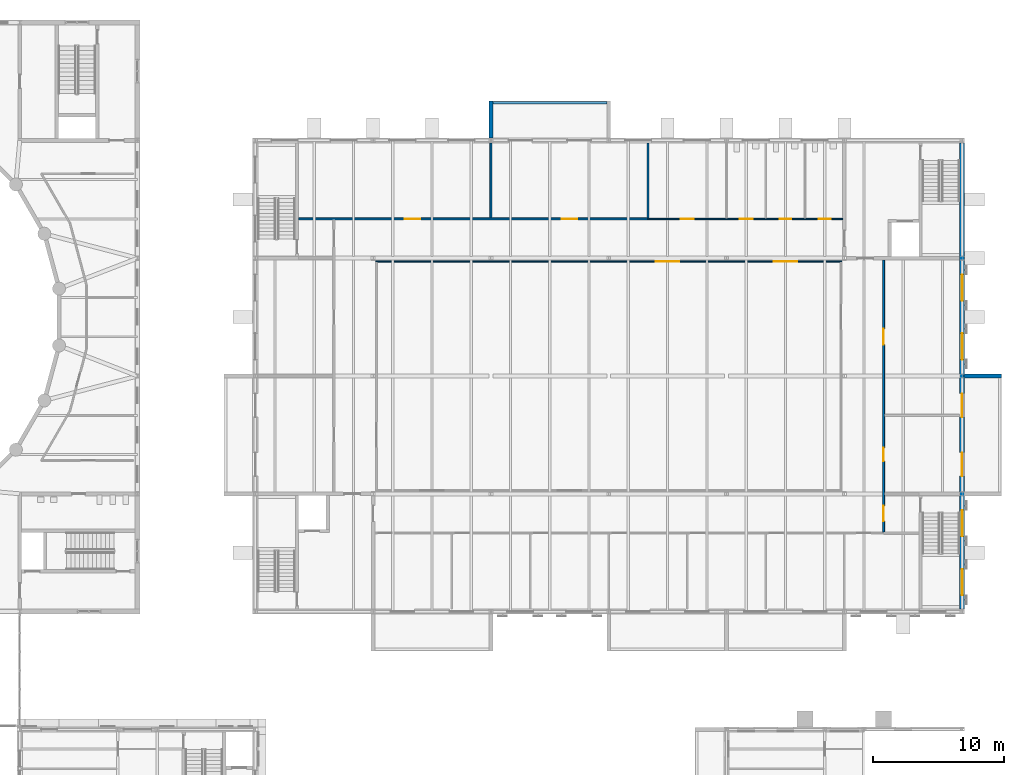
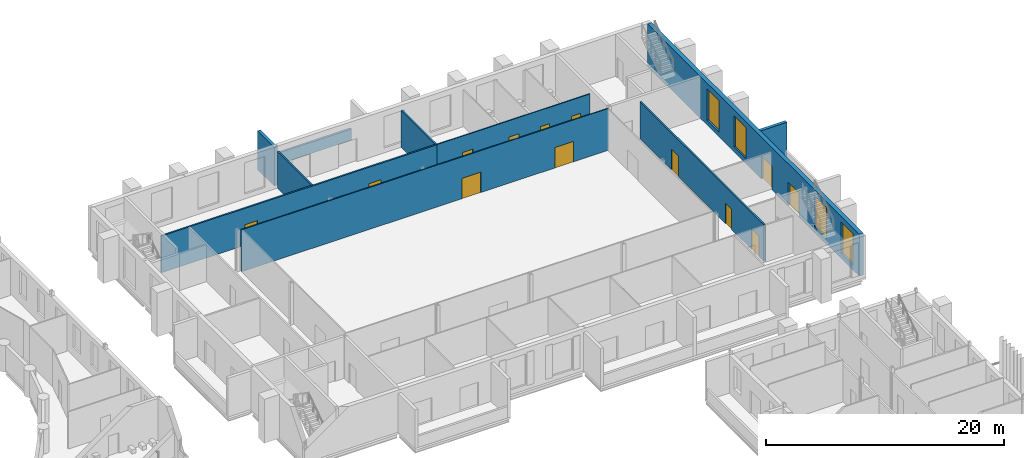
# One storey, part 92 of 134: 13 doors, 10 walls, 4 windows, 17 openings.
"""IFC4 building model written with IfcOpenShell, lengths in metres."""

import ifcopenshell
import ifcopenshell.guid

model = None  # the IFC model being written
_history = None  # IfcOwnerHistory: only IFC2X3 demands one
_inside = {}  # id of a spatial element -> (the spatial element, [elements in it])
_under = {}  # id of a project, library or spatial element -> (it, [spatial elements below it])
_declared = {}  # id of a project -> (the project, [libraries it declares])
_typed = {}  # id of a type object -> (the type object, [elements of that type])
_made_of = {}  # id of a material, layer set ... -> (it, [elements and type objects made of it])


def new_model(schema):
    """Start an empty IFC model of exactly this schema.

    Asked for "IFC4X3", IfcOpenShell would pick the latest addendum, in which some entities
    have other attributes; the version numbers below select the first issue.
    IFC2X3 requires an IfcOwnerHistory on every rooted entity: one is made here for all.
    """
    global model, _history
    if schema == "IFC4X3":
        model = ifcopenshell.file(schema_version=(4, 3, 0, 0))
    else:
        model = ifcopenshell.file(schema=schema)
    _inside.clear()
    _under.clear()
    _declared.clear()
    _typed.clear()
    _made_of.clear()
    _history = None
    if model.schema == "IFC2X3":
        org = make("IfcOrganization", Name="unknown")
        user = make(
            "IfcPersonAndOrganization",
            ThePerson=make("IfcPerson", FamilyName="unknown"),
            TheOrganization=org,
        )
        app = make(
            "IfcApplication",
            ApplicationDeveloper=org,
            Version="unknown",
            ApplicationFullName="unknown",
            ApplicationIdentifier="unknown",
        )
        _history = make(
            "IfcOwnerHistory",
            OwningUser=user,
            OwningApplication=app,
            ChangeAction="ADDED",
            CreationDate=0,
        )
    return model


def make(cls, **values):
    """One entity of the class cls with the attributes given. An attribute that is None is left unset."""
    return model.create_entity(
        cls, **{name: value for name, value in values.items() if value is not None}
    )


def rooted(cls, **values):
    """An entity with a GlobalId (a new one), such as an element, a storey or a relation."""
    return make(cls, GlobalId=ifcopenshell.guid.new(), OwnerHistory=_history, **values)


def si_unit(unit_type, name, prefix=None):
    """IfcSIUnit, for example si_unit("LENGTHUNIT", "METRE", prefix="MILLI")."""
    return make("IfcSIUnit", UnitType=unit_type, Prefix=prefix, Name=name)


def assignment(units):
    """IfcUnitAssignment: the units of a project."""
    return None if units is None else make("IfcUnitAssignment", Units=units)


def point(xyz):
    """IfcCartesianPoint."""
    return None if xyz is None else make("IfcCartesianPoint", Coordinates=xyz)


def direction(xyz):
    """IfcDirection."""
    return None if xyz is None else make("IfcDirection", DirectionRatios=xyz)


def frame(location, z_axis=None, x_axis=None):
    """IfcAxis2Placement3D, a coordinate frame: its origin and axes. An axis left out is left unset."""
    return make(
        "IfcAxis2Placement3D",
        Location=point(location),
        Axis=direction(z_axis),
        RefDirection=direction(x_axis),
    )


def frame_2d(location, x_axis=None):
    """IfcAxis2Placement2D, a coordinate frame in the plane: its origin and x axis."""
    return make(
        "IfcAxis2Placement2D", Location=point(location), RefDirection=direction(x_axis)
    )


def origin():
    """The frame at (0, 0, 0) with its axes left unset."""
    return frame((0.0, 0.0, 0.0))


def place(relative_to, where):
    """IfcLocalPlacement: puts the frame where relative to a parent placement (None: the world)."""
    return make(
        "IfcLocalPlacement", PlacementRelTo=relative_to, RelativePlacement=where
    )


def context(
    kind, dimensions, precision=None, world=None, true_north=None, identifier=None
):
    """IfcGeometricRepresentationContext, for example the 3D "Model" context."""
    return make(
        "IfcGeometricRepresentationContext",
        ContextIdentifier=identifier,
        ContextType=kind,
        CoordinateSpaceDimension=dimensions,
        Precision=precision,
        WorldCoordinateSystem=world,
        TrueNorth=true_north,
    )


def subcontext(parent, identifier, kind, view, scale=None):
    """IfcGeometricRepresentationSubContext, for example "Body" below "Model"."""
    return make(
        "IfcGeometricRepresentationSubContext",
        ContextIdentifier=identifier,
        ContextType=kind,
        ParentContext=parent,
        TargetScale=scale,
        TargetView=view,
    )


def project(units=None, contexts=None):
    """IfcProject with its units and contexts."""
    return rooted(
        "IfcProject",
        Name="project",
        RepresentationContexts=contexts,
        UnitsInContext=assignment(units),
    )


def spatial(cls, under=None, at=None, **own):
    """A site, building, storey or space (cls), placed at a placement, below another one or the project."""
    s = rooted(cls, ObjectPlacement=at, **own)
    if under is not None:
        _under.setdefault(under.id(), (under, []))[1].append(s)
    return s


def profile(cls, at=None, kind="AREA", **sizes):
    """A parametric profile (cls). Its sizes go by their IFC names, for example OverallWidth=200.0."""
    return make(cls, ProfileType=kind, Position=at, **sizes)


def rectangle(**sizes):
    """IfcRectangleProfileDef."""
    return profile("IfcRectangleProfileDef", **sizes)


def extrude(swept, where, along, depth):
    """IfcExtrudedAreaSolid: the profile swept, set in the frame where, extruded along a direction by depth."""
    return make(
        "IfcExtrudedAreaSolid",
        SweptArea=swept,
        Position=where,
        ExtrudedDirection=direction(along),
        Depth=depth,
    )


def shape(context_of_items, identifier, shape_type, items):
    """IfcShapeRepresentation: the items that make up one representation, for example the "Body"."""
    return make(
        "IfcShapeRepresentation",
        ContextOfItems=context_of_items,
        RepresentationIdentifier=identifier,
        RepresentationType=shape_type,
        Items=items,
    )


def material(Name=None, Category=None):
    """IfcMaterial."""
    return make("IfcMaterial", Name=Name, Category=Category)


def layer(
    of_material, thickness, ventilated=None, Name=None, Category=None, Priority=None
):
    """IfcMaterialLayer: one layer of a wall or slab, of a material (None: an air gap)."""
    return make(
        "IfcMaterialLayer",
        Material=of_material,
        LayerThickness=thickness,
        IsVentilated=ventilated,
        Name=Name,
        Category=Category,
        Priority=Priority,
    )


def layer_set(layers, Name=None):
    """IfcMaterialLayerSet."""
    return make("IfcMaterialLayerSet", MaterialLayers=layers, LayerSetName=Name)


def made_of(thing, what):
    """Note that an element or type object is made of a material, layer set ...; save() writes the relation."""
    if what is not None:
        _made_of.setdefault(what.id(), (what, []))[1].append(thing)
    return thing


def type_object(cls, material=None, **own):
    """A type object (cls), such as IfcWallType, which elements share."""
    return made_of(rooted(cls, **own), material)


def element(
    cls,
    number,
    at=None,
    inside=None,
    cuts=None,
    type_object=None,
    material=None,
    context=None,
    identifier="Body",
    shape_type=None,
    held_by="IfcProductDefinitionShape",
    body=None,
    shapes=None,
    **own,
):
    """One element of the class cls, such as IfcWall. Its Tag is "e" and its number.

    at: its placement. inside: the storey or other place that contains it. cuts: it is an
    opening in that element (IfcRelVoidsElement). A single representation is given by context,
    identifier, shape_type and body (its items); several are given by shapes. held_by: the class
    of the entity that holds the representations. save() writes the other relations.
    """
    e = rooted(cls, Tag="e%d" % number, ObjectPlacement=at, **own)
    if body is not None:
        shapes = [shape(context, identifier, shape_type, body)]
    if shapes is not None:
        e.Representation = make(held_by, Representations=shapes)
    if inside is not None:
        _inside.setdefault(inside.id(), (inside, []))[1].append(e)
    if cuts is not None:
        rooted(
            "IfcRelVoidsElement", RelatingBuildingElement=cuts, RelatedOpeningElement=e
        )
    if type_object is not None:
        _typed.setdefault(type_object.id(), (type_object, []))[1].append(e)
    return made_of(e, material)


def fill(opening, filler):
    """IfcRelFillsElement: the door or window that sits in an opening."""
    return rooted(
        "IfcRelFillsElement",
        RelatingOpeningElement=opening,
        RelatedBuildingElement=filler,
    )


def aggregate(whole, parts):
    """IfcRelAggregates: a whole, such as a stair, and the parts it consists of."""
    return rooted("IfcRelAggregates", RelatingObject=whole, RelatedObjects=parts)


def save(model, path):
    """Write the relations noted so far, then the file.

    IfcRelAggregates (storeys below a building ...), IfcRelContainedInSpatialStructure (elements
    in a storey), IfcRelDefinesByType, IfcRelAssociatesMaterial and IfcRelDeclares: one each for
    every whole, place, type object, material and project.
    """
    for whole, parts in _under.values():
        aggregate(whole, parts)
    for where, things in _inside.values():
        rooted(
            "IfcRelContainedInSpatialStructure",
            RelatedElements=things,
            RelatingStructure=where,
        )
    for kind, things in _typed.values():
        rooted("IfcRelDefinesByType", RelatedObjects=things, RelatingType=kind)
    for what, things in _made_of.values():
        rooted("IfcRelAssociatesMaterial", RelatedObjects=things, RelatingMaterial=what)
    for by, libraries in _declared.values():
        rooted("IfcRelDeclares", RelatingContext=by, RelatedDefinitions=libraries)
    model.write(path)


model = new_model("IFC4")

# Units and contexts
model_context = context("Model", 3, precision=1e-05, world=origin(), true_north=direction((0.0, 1.0)))
body_context = subcontext(model_context, "Body", "Model", "MODEL_VIEW")
ifc_project = project(units=[si_unit("LENGTHUNIT", "METRE"), si_unit("AREAUNIT", "SQUARE_METRE"), si_unit("VOLUMEUNIT", "CUBIC_METRE"), si_unit("PLANEANGLEUNIT", "RADIAN"), si_unit("MASSUNIT", "GRAM", prefix="KILO")], contexts=[model_context])

# Site, building, storey
site_placement = place(None, origin())
site = spatial("IfcSite", under=ifc_project, at=site_placement, CompositionType="ELEMENT")
building_placement = place(site_placement, origin())
building = spatial("IfcBuilding", under=site, at=building_placement, Name="Golden Quay Civic Hall", CompositionType="ELEMENT")
storey_placement = place(building_placement, frame((0.0, 0.0, 5.39990234375)))
storey = spatial("IfcBuildingStorey", under=building, at=storey_placement, Name="L01", CompositionType="ELEMENT", Elevation=5.39990234375)

# Wall
ifc_material_1 = material(Name="Brick, dark clay facing", Category="masonry")
ifc_layer_1 = layer(ifc_material_1, 0.199951171875)
ifc_layer_set_1 = layer_set([ifc_layer_1], Name="Brick balustrade wall 200")
wall_type_1 = type_object("IfcWallType", Name="Brick balustrade wall 200", PredefinedType="STANDARD", material=ifc_layer_set_1)
wall_1_placement = place(storey_placement, frame((135.14990234375, 101.8798828125, 0.0), z_axis=(0.0, 0.0, 1.0), x_axis=(1.0, 0.0, 0.0)))
element("IfcWall", 1, at=wall_1_placement, inside=storey, type_object=wall_type_1, Name="Brick balustrade wall 200 L01 11", PredefinedType="STANDARD", context=body_context, shape_type="SweptSolid", body=[
    extrude(rectangle(XDim=8.7001953125, YDim=0.199951171875, at=frame_2d((4.35009765625, 0.0))), origin(), (0.0, 0.0, 1.0), 1.150146484375),
])

# Wall, openings, doors, windows
ifc_material_2 = material(Name="Brick, dark clay facing", Category="masonry")
ifc_layer_2 = layer(ifc_material_2, 0.39990234375)
ifc_layer_set_2 = layer_set([ifc_layer_2], Name="Brick external wall 400 fire EI 120")
wall_type_2 = type_object("IfcWallType", Name="Brick external wall 400 fire EI 120", PredefinedType="STANDARD", material=ifc_layer_set_2)
wall_2_placement = place(storey_placement, frame((171.0, 63.199951171875, 0.0), z_axis=(0.0, 0.0, 1.0), x_axis=(0.0, 1.0, 0.0)))
wall_2 = element("IfcWall", 2, at=wall_2_placement, inside=storey, type_object=wall_type_2, Name="L01 external wall E", PredefinedType="STANDARD", context=body_context, shape_type="SweptSolid", body=[
    extrude(rectangle(XDim=35.60009765625, YDim=0.39990234375, at=frame_2d((17.800048828125, 0.0))), origin(), (0.0, 0.0, 1.0), 4.300048828125),
])
opening_1_placement = place(wall_2_placement, frame((1.050048828125, 0.0, 0.5)))
opening_1 = element("IfcOpeningElement", 3, at=opening_1_placement, cuts=wall_2, Name="Opening WN19", PredefinedType="OPENING", context=body_context, shape_type="SweptSolid", body=[
    extrude(rectangle(XDim=2.0, YDim=3.199951171875, at=frame_2d((1.0, 1.60009765625))), frame((0.0, 0.2099609375, 0.0), z_axis=(0.0, -1.0, 0.0), x_axis=(1.0, 0.0, 0.0)), (0.0, 0.0, 1.0), 0.419921875),
])
opening_2_placement = place(wall_2_placement, frame((5.550048828125, 0.0, 0.5)))
opening_2 = element("IfcOpeningElement", 4, at=opening_2_placement, cuts=wall_2, Name="Opening WN19", PredefinedType="OPENING", context=body_context, shape_type="SweptSolid", body=[
    extrude(rectangle(XDim=2.0, YDim=3.199951171875, at=frame_2d((1.0, 1.60009765625))), frame((0.0, 0.2099609375, 0.0), z_axis=(0.0, -1.0, 0.0), x_axis=(1.0, 0.0, 0.0)), (0.0, 0.0, 1.0), 0.419921875),
])
opening_3_placement = place(wall_2_placement, frame((19.050048828125, 0.0, 0.5)))
opening_3 = element("IfcOpeningElement", 5, at=opening_3_placement, cuts=wall_2, Name="Opening WN19", PredefinedType="OPENING", context=body_context, shape_type="SweptSolid", body=[
    extrude(rectangle(XDim=2.0, YDim=3.199951171875, at=frame_2d((1.0, 1.60009765625))), frame((0.0, 0.2099609375, 0.0), z_axis=(0.0, -1.0, 0.0), x_axis=(1.0, 0.0, 0.0)), (0.0, 0.0, 1.0), 0.419921875),
])
opening_4_placement = place(wall_2_placement, frame((23.550048828125, 0.0, 0.5)))
opening_4 = element("IfcOpeningElement", 6, at=opening_4_placement, cuts=wall_2, Name="Opening WN19", PredefinedType="OPENING", context=body_context, shape_type="SweptSolid", body=[
    extrude(rectangle(XDim=2.0, YDim=3.199951171875, at=frame_2d((1.0, 1.60009765625))), frame((0.0, 0.2099609375, 0.0), z_axis=(0.0, -1.0, 0.0), x_axis=(1.0, 0.0, 0.0)), (0.0, 0.0, 1.0), 0.419921875),
])
opening_5_placement = place(wall_2_placement, frame((10.14990234375, 0.0, 0.0)))
opening_5 = element("IfcOpeningElement", 7, at=opening_5_placement, cuts=wall_2, Name="Opening L01-D022", PredefinedType="OPENING", context=body_context, shape_type="SweptSolid", body=[
    extrude(rectangle(XDim=1.800048828125, YDim=2.39990234375, at=frame_2d((0.89990234375, 1.199951171875))), frame((0.0, 0.2099609375, 0.0), z_axis=(0.0, -1.0, 0.0), x_axis=(1.0, 0.0, 0.0)), (0.0, 0.0, 1.0), 0.419921875),
])
opening_6_placement = place(wall_2_placement, frame((14.64990234375, 0.0, 0.0)))
opening_6 = element("IfcOpeningElement", 8, at=opening_6_placement, cuts=wall_2, Name="Opening L01-D023", PredefinedType="OPENING", context=body_context, shape_type="SweptSolid", body=[
    extrude(rectangle(XDim=1.800048828125, YDim=2.39990234375, at=frame_2d((0.89990234375, 1.199951171875))), frame((0.0, 0.2099609375, 0.0), z_axis=(0.0, -1.0, 0.0), x_axis=(1.0, 0.0, 0.0)), (0.0, 0.0, 1.0), 0.419921875),
])
ifc_material_3 = material(Name="Aluminium frame, glazed", Category="aluminium")
door_type_1 = type_object("IfcDoorType", Name="Glazed double terrace door 1800 x 2400", OperationType="DOUBLE_DOOR_SINGLE_SWING", PredefinedType="DOOR", material=ifc_material_3)
door_1_placement = place(opening_5_placement, frame((1.800048828125, 0.0, 0.0), z_axis=(0.0, 0.0, 1.0), x_axis=(-1.0, 0.0, 0.0)))
door_1 = element("IfcDoor", 9, at=door_1_placement, inside=storey, type_object=door_type_1, Name="Loggia door L01 E112", OperationType="DOUBLE_DOOR_SINGLE_SWING", OverallHeight=2.39990234375, OverallWidth=1.800048828125, PredefinedType="DOOR", context=body_context, shape_type="SweptSolid", body=[
    extrude(rectangle(XDim=1.800048828125, YDim=2.39990234375, at=frame_2d((0.900146484375, 1.199951171875))), frame((0.0, 0.025146484375, 0.0), z_axis=(0.0, -1.0, 0.0), x_axis=(1.0, 0.0, 0.0)), (0.0, 0.0, 1.0), 0.050048828125),
])
fill(opening_5, door_1)
door_2_placement = place(opening_6_placement, frame((1.800048828125, 0.0, 0.0), z_axis=(0.0, 0.0, 1.0), x_axis=(-1.0, 0.0, 0.0)))
door_2 = element("IfcDoor", 10, at=door_2_placement, inside=storey, type_object=door_type_1, Name="Loggia door L01 E157", OperationType="DOUBLE_DOOR_SINGLE_SWING", OverallHeight=2.39990234375, OverallWidth=1.800048828125, PredefinedType="DOOR", context=body_context, shape_type="SweptSolid", body=[
    extrude(rectangle(XDim=1.800048828125, YDim=2.39990234375, at=frame_2d((0.900146484375, 1.199951171875))), frame((0.0, 0.025146484375, 0.0), z_axis=(0.0, -1.0, 0.0), x_axis=(1.0, 0.0, 0.0)), (0.0, 0.0, 1.0), 0.050048828125),
])
fill(opening_6, door_2)
ifc_material_4 = material(Name="Timber", Category="wood")
window_type = type_object("IfcWindowType", Name="Tall timber window 2000 x 3200", PartitioningType="SINGLE_PANEL", PredefinedType="WINDOW", material=ifc_material_4)
window_1_placement = place(opening_1_placement, origin())
window_1 = element("IfcWindow", 11, at=window_1_placement, inside=storey, type_object=window_type, Name="L01 window E22", OverallHeight=3.199951171875, OverallWidth=2.0, PartitioningType="SINGLE_PANEL", PredefinedType="WINDOW", context=body_context, shape_type="SweptSolid", body=[
    extrude(rectangle(XDim=2.0, YDim=3.199951171875, at=frame_2d((1.0, 1.60009765625))), frame((0.0, 0.030029296875, 0.0), z_axis=(0.0, -1.0, 0.0), x_axis=(1.0, 0.0, 0.0)), (0.0, 0.0, 1.0), 0.06005859375),
])
fill(opening_1, window_1)
window_2_placement = place(opening_2_placement, origin())
window_2 = element("IfcWindow", 12, at=window_2_placement, inside=storey, type_object=window_type, Name="L01 window E67", OverallHeight=3.199951171875, OverallWidth=2.0, PartitioningType="SINGLE_PANEL", PredefinedType="WINDOW", context=body_context, shape_type="SweptSolid", body=[
    extrude(rectangle(XDim=2.0, YDim=3.199951171875, at=frame_2d((1.0, 1.60009765625))), frame((0.0, 0.030029296875, 0.0), z_axis=(0.0, -1.0, 0.0), x_axis=(1.0, 0.0, 0.0)), (0.0, 0.0, 1.0), 0.06005859375),
])
fill(opening_2, window_2)
window_3_placement = place(opening_3_placement, origin())
window_3 = element("IfcWindow", 13, at=window_3_placement, inside=storey, type_object=window_type, Name="L01 window E202", OverallHeight=3.199951171875, OverallWidth=2.0, PartitioningType="SINGLE_PANEL", PredefinedType="WINDOW", context=body_context, shape_type="SweptSolid", body=[
    extrude(rectangle(XDim=2.0, YDim=3.199951171875, at=frame_2d((1.0, 1.60009765625))), frame((0.0, 0.030029296875, 0.0), z_axis=(0.0, -1.0, 0.0), x_axis=(1.0, 0.0, 0.0)), (0.0, 0.0, 1.0), 0.06005859375),
])
fill(opening_3, window_3)
window_4_placement = place(opening_4_placement, origin())
window_4 = element("IfcWindow", 14, at=window_4_placement, inside=storey, type_object=window_type, Name="L01 window E247", OverallHeight=3.199951171875, OverallWidth=2.0, PartitioningType="SINGLE_PANEL", PredefinedType="WINDOW", context=body_context, shape_type="SweptSolid", body=[
    extrude(rectangle(XDim=2.0, YDim=3.199951171875, at=frame_2d((1.0, 1.60009765625))), frame((0.0, 0.030029296875, 0.0), z_axis=(0.0, -1.0, 0.0), x_axis=(1.0, 0.0, 0.0)), (0.0, 0.0, 1.0), 0.06005859375),
])
fill(opening_4, window_4)

# Walls
ifc_material_5 = material(Name="Brick, dark clay facing", Category="masonry")
ifc_layer_3 = layer(ifc_material_5, 0.300048828125)
ifc_layer_set_3 = layer_set([ifc_layer_3], Name="Brick loggia wall 300")
wall_type_3 = type_object("IfcWallType", Name="Brick loggia wall 300", PredefinedType="STANDARD", material=ifc_layer_set_3)
wall_3_placement = place(storey_placement, frame((171.14990234375, 81.0, 0.0), z_axis=(0.0, 0.0, 1.0), x_axis=(1.0, 0.0, 0.0)))
element("IfcWall", 15, at=wall_3_placement, inside=storey, type_object=wall_type_3, Name="Brick loggia wall 300 L01 17", PredefinedType="STANDARD", context=body_context, shape_type="SweptSolid", body=[
    extrude(rectangle(XDim=2.85009765625, YDim=0.300048828125, at=frame_2d((1.425048828125, 0.0))), origin(), (0.0, 0.0, 1.0), 3.97021484375),
])
wall_4_placement = place(storey_placement, frame((135.0, 99.179931640625, 0.0), z_axis=(0.0, 0.0, 1.0), x_axis=(0.0, 1.0, 0.0)))
element("IfcWall", 16, at=wall_4_placement, inside=storey, type_object=wall_type_3, Name="Brick loggia wall 300 L01 18", PredefinedType="STANDARD", context=body_context, shape_type="SweptSolid", body=[
    extrude(rectangle(XDim=2.820068359375, YDim=0.300048828125, at=frame_2d((1.41015625, 0.0))), origin(), (0.0, 0.0, 1.0), 3.97021484375),
])

# Wall, openings, doors
ifc_material_6 = material(Name="Plasterboard on steel studs", Category="steel")
ifc_layer_4 = layer(ifc_material_6, 0.10009765625)
ifc_layer_set_4 = layer_set([ifc_layer_4], Name="Partition 100 stud")
wall_type_4 = type_object("IfcWallType", Name="Partition 100 stud", PredefinedType="PARTITIONING", material=ifc_layer_set_4)
wall_5_placement = place(storey_placement, frame((147.0, 93.0, 0.0), z_axis=(0.0, 0.0, 1.0), x_axis=(1.0, 0.0, 0.0)))
wall_5 = element("IfcWall", 17, at=wall_5_placement, inside=storey, type_object=wall_type_4, Name="L01 partition H30-30.00", PredefinedType="PARTITIONING", context=body_context, shape_type="SweptSolid", body=[
    extrude(rectangle(XDim=14.875, YDim=0.10009765625, at=frame_2d((7.4375, 0.0))), origin(), (0.0, 0.0, 1.0), 3.780029296875),
])
opening_7_placement = place(wall_5_placement, frame((2.5, 0.0, 0.0)))
opening_7 = element("IfcOpeningElement", 18, at=opening_7_placement, cuts=wall_5, Name="Opening L01-D204", PredefinedType="OPENING", context=body_context, shape_type="SweptSolid", body=[
    extrude(rectangle(XDim=1.0, YDim=2.10009765625, at=frame_2d((0.5, 1.050048828125))), frame((0.0, 0.06005859375, 0.0), z_axis=(0.0, -1.0, 0.0), x_axis=(1.0, 0.0, 0.0)), (0.0, 0.0, 1.0), 0.1201171875),
])
opening_8_placement = place(wall_5_placement, frame((7.0, 0.0, 0.0)))
opening_8 = element("IfcOpeningElement", 19, at=opening_8_placement, cuts=wall_5, Name="Opening L01-D205", PredefinedType="OPENING", context=body_context, shape_type="SweptSolid", body=[
    extrude(rectangle(XDim=1.0, YDim=2.10009765625, at=frame_2d((0.5, 1.050048828125))), frame((0.0, 0.06005859375, 0.0), z_axis=(0.0, -1.0, 0.0), x_axis=(1.0, 0.0, 0.0)), (0.0, 0.0, 1.0), 0.1201171875),
])
opening_9_placement = place(wall_5_placement, frame((10.050048828125, 0.0, 0.0)))
opening_9 = element("IfcOpeningElement", 20, at=opening_9_placement, cuts=wall_5, Name="Opening L01-D206", PredefinedType="OPENING", context=body_context, shape_type="SweptSolid", body=[
    extrude(rectangle(XDim=0.89990234375, YDim=2.10009765625, at=frame_2d((0.449951171875, 1.050048828125))), frame((0.0, 0.06005859375, 0.0), z_axis=(0.0, -1.0, 0.0), x_axis=(1.0, 0.0, 0.0)), (0.0, 0.0, 1.0), 0.1201171875),
])
opening_10_placement = place(wall_5_placement, frame((13.050048828125, 0.0, 0.0)))
opening_10 = element("IfcOpeningElement", 21, at=opening_10_placement, cuts=wall_5, Name="Opening L01-D207", PredefinedType="OPENING", context=body_context, shape_type="SweptSolid", body=[
    extrude(rectangle(XDim=0.89990234375, YDim=2.10009765625, at=frame_2d((0.449951171875, 1.050048828125))), frame((0.0, 0.06005859375, 0.0), z_axis=(0.0, -1.0, 0.0), x_axis=(1.0, 0.0, 0.0)), (0.0, 0.0, 1.0), 0.1201171875),
])
ifc_material_7 = material(Name="Timber", Category="wood")
door_type_2 = type_object("IfcDoorType", Name="Timber door 1000 x 2100", OperationType="SINGLE_SWING_LEFT", PredefinedType="DOOR", material=ifc_material_7)
door_3_placement = place(opening_7_placement, origin())
door_3 = element("IfcDoor", 22, at=door_3_placement, inside=storey, type_object=door_type_2, Name="Library Office door", OperationType="SINGLE_SWING_LEFT", OverallHeight=2.10009765625, OverallWidth=1.0, PredefinedType="DOOR", context=body_context, shape_type="SweptSolid", body=[
    extrude(rectangle(XDim=1.0, YDim=2.10009765625, at=frame_2d((0.5, 1.050048828125))), frame((0.0, 0.02490234375, 0.0), z_axis=(0.0, -1.0, 0.0), x_axis=(1.0, 0.0, 0.0)), (0.0, 0.0, 1.0), 0.050048828125),
])
fill(opening_7, door_3)
door_4_placement = place(opening_8_placement, origin())
door_4 = element("IfcDoor", 23, at=door_4_placement, inside=storey, type_object=door_type_2, Name="Accessible WC door", OperationType="SINGLE_SWING_LEFT", OverallHeight=2.10009765625, OverallWidth=1.0, PredefinedType="DOOR", context=body_context, shape_type="SweptSolid", body=[
    extrude(rectangle(XDim=1.0, YDim=2.10009765625, at=frame_2d((0.5, 1.050048828125))), frame((0.0, 0.02490234375, 0.0), z_axis=(0.0, -1.0, 0.0), x_axis=(1.0, 0.0, 0.0)), (0.0, 0.0, 1.0), 0.050048828125),
])
fill(opening_8, door_4)
ifc_material_8 = material(Name="Timber", Category="wood")
door_type_3 = type_object("IfcDoorType", Name="Timber door 900 x 2100", OperationType="SINGLE_SWING_LEFT", PredefinedType="DOOR", material=ifc_material_8)
door_5_placement = place(opening_9_placement, origin())
door_5 = element("IfcDoor", 24, at=door_5_placement, inside=storey, type_object=door_type_3, Name="Men's WC door", OperationType="SINGLE_SWING_LEFT", OverallHeight=2.10009765625, OverallWidth=0.89990234375, PredefinedType="DOOR", context=body_context, shape_type="SweptSolid", body=[
    extrude(rectangle(XDim=0.89990234375, YDim=2.10009765625, at=frame_2d((0.449951171875, 1.050048828125))), frame((0.0, 0.02490234375, 0.0), z_axis=(0.0, -1.0, 0.0), x_axis=(1.0, 0.0, 0.0)), (0.0, 0.0, 1.0), 0.050048828125),
])
fill(opening_9, door_5)
door_6_placement = place(opening_10_placement, origin())
door_6 = element("IfcDoor", 25, at=door_6_placement, inside=storey, type_object=door_type_3, Name="Women's WC door", OperationType="SINGLE_SWING_LEFT", OverallHeight=2.10009765625, OverallWidth=0.89990234375, PredefinedType="DOOR", context=body_context, shape_type="SweptSolid", body=[
    extrude(rectangle(XDim=0.89990234375, YDim=2.10009765625, at=frame_2d((0.449951171875, 1.050048828125))), frame((0.0, 0.02490234375, 0.0), z_axis=(0.0, -1.0, 0.0), x_axis=(1.0, 0.0, 0.0)), (0.0, 0.0, 1.0), 0.050048828125),
])
fill(opening_10, door_6)

wall_6_placement = place(storey_placement, frame((126.199951171875, 89.75, 0.0), z_axis=(0.0, 0.0, 1.0), x_axis=(1.0, 0.0, 0.0)))
wall_6 = element("IfcWall", 26, at=wall_6_placement, inside=storey, type_object=wall_type_4, Name="L01 reading room wall N", PredefinedType="PARTITIONING", context=body_context, shape_type="SweptSolid", body=[
    extrude(rectangle(XDim=35.60009765625, YDim=0.10009765625, at=frame_2d((17.800048828125, 0.0))), origin(), (0.0, 0.0, 1.0), 4.300048828125),
])
opening_11_placement = place(wall_6_placement, frame((21.39990234375, 0.0, 0.0)))
opening_11 = element("IfcOpeningElement", 27, at=opening_11_placement, cuts=wall_6, Name="Opening L01-D210", PredefinedType="OPENING", context=body_context, shape_type="SweptSolid", body=[
    extrude(rectangle(XDim=1.800048828125, YDim=2.10009765625, at=frame_2d((0.89990234375, 1.050048828125))), frame((0.0, 0.06005859375, 0.0), z_axis=(0.0, -1.0, 0.0), x_axis=(1.0, 0.0, 0.0)), (0.0, 0.0, 1.0), 0.1201171875),
])
opening_12_placement = place(wall_6_placement, frame((30.39990234375, 0.0, 0.0)))
opening_12 = element("IfcOpeningElement", 28, at=opening_12_placement, cuts=wall_6, Name="Opening L01-D211", PredefinedType="OPENING", context=body_context, shape_type="SweptSolid", body=[
    extrude(rectangle(XDim=1.800048828125, YDim=2.10009765625, at=frame_2d((0.89990234375, 1.050048828125))), frame((0.0, 0.06005859375, 0.0), z_axis=(0.0, -1.0, 0.0), x_axis=(1.0, 0.0, 0.0)), (0.0, 0.0, 1.0), 0.1201171875),
])
ifc_material_9 = material(Name="Timber", Category="wood")
door_type_4 = type_object("IfcDoorType", Name="Timber double door 1800 x 2100", OperationType="NOTDEFINED", PredefinedType="DOOR", material=ifc_material_9)
door_7_placement = place(opening_11_placement, frame((1.800048828125, 0.0, 0.0), z_axis=(0.0, 0.0, 1.0), x_axis=(-1.0, 0.0, 0.0)))
door_7 = element("IfcDoor", 29, at=door_7_placement, inside=storey, type_object=door_type_4, Name="Reading Room door", OperationType="DOUBLE_DOOR_SINGLE_SWING", OverallHeight=2.10009765625, OverallWidth=1.800048828125, PredefinedType="DOOR", context=body_context, shape_type="SweptSolid", body=[
    extrude(rectangle(XDim=1.800048828125, YDim=2.10009765625, at=frame_2d((0.900146484375, 1.050048828125))), frame((0.0, 0.025146484375, 0.0), z_axis=(0.0, -1.0, 0.0), x_axis=(1.0, 0.0, 0.0)), (0.0, 0.0, 1.0), 0.050048828125),
])
fill(opening_11, door_7)
door_8_placement = place(opening_12_placement, frame((1.800048828125, 0.0, 0.0), z_axis=(0.0, 0.0, 1.0), x_axis=(-1.0, 0.0, 0.0)))
door_8 = element("IfcDoor", 30, at=door_8_placement, inside=storey, type_object=door_type_4, Name="Reading Room door", OperationType="DOUBLE_DOOR_SINGLE_SWING", OverallHeight=2.10009765625, OverallWidth=1.800048828125, PredefinedType="DOOR", context=body_context, shape_type="SweptSolid", body=[
    extrude(rectangle(XDim=1.800048828125, YDim=2.10009765625, at=frame_2d((0.900146484375, 1.050048828125))), frame((0.0, 0.025146484375, 0.0), z_axis=(0.0, -1.0, 0.0), x_axis=(1.0, 0.0, 0.0)), (0.0, 0.0, 1.0), 0.050048828125),
])
fill(opening_12, door_8)

ifc_material_10 = material(Name="Plasterboard on steel studs", Category="steel")
ifc_layer_5 = layer(ifc_material_10, 0.14990234375)
ifc_layer_set_5 = layer_set([ifc_layer_5], Name="Partition 150 stud fire EI 60")
wall_type_5 = type_object("IfcWallType", Name="Partition 150 stud fire EI 60", PredefinedType="PARTITIONING", material=ifc_layer_set_5)
wall_7_placement = place(storey_placement, frame((120.300048828125, 93.0, 0.0), z_axis=(0.0, 0.0, 1.0), x_axis=(1.0, 0.0, 0.0)))
wall_7 = element("IfcWall", 31, at=wall_7_placement, inside=storey, type_object=wall_type_5, Name="L01 partition H30-3.30", PredefinedType="PARTITIONING", context=body_context, shape_type="SweptSolid", body=[
    extrude(rectangle(XDim=26.699951171875, YDim=0.14990234375, at=frame_2d((13.35009765625, 0.0))), origin(), (0.0, 0.0, 1.0), 3.780029296875),
])
opening_13_placement = place(wall_7_placement, frame((8.10009765625, 0.0, 0.0)))
opening_13 = element("IfcOpeningElement", 32, at=opening_13_placement, cuts=wall_7, Name="Opening L01-D202", PredefinedType="OPENING", context=body_context, shape_type="SweptSolid", body=[
    extrude(rectangle(XDim=1.199951171875, YDim=2.10009765625, at=frame_2d((0.60009765625, 1.050048828125))), frame((0.0, 0.0849609375, 0.0), z_axis=(0.0, -1.0, 0.0), x_axis=(1.0, 0.0, 0.0)), (0.0, 0.0, 1.0), 0.169921875),
])
opening_14_placement = place(wall_7_placement, frame((20.10009765625, 0.0, 0.0)))
opening_14 = element("IfcOpeningElement", 33, at=opening_14_placement, cuts=wall_7, Name="Opening L01-D203", PredefinedType="OPENING", context=body_context, shape_type="SweptSolid", body=[
    extrude(rectangle(XDim=1.199951171875, YDim=2.10009765625, at=frame_2d((0.60009765625, 1.050048828125))), frame((0.0, 0.0849609375, 0.0), z_axis=(0.0, -1.0, 0.0), x_axis=(1.0, 0.0, 0.0)), (0.0, 0.0, 1.0), 0.169921875),
])
ifc_material_11 = material(Name="Timber", Category="wood")
door_type_5 = type_object("IfcDoorType", Name="Timber fire door FD60 1200 x 2100", OperationType="SINGLE_SWING_LEFT", PredefinedType="DOOR", material=ifc_material_11)
door_9_placement = place(opening_13_placement, origin())
door_9 = element("IfcDoor", 34, at=door_9_placement, inside=storey, type_object=door_type_5, Name="Archive and Stacks door", OperationType="SINGLE_SWING_LEFT", OverallHeight=2.10009765625, OverallWidth=1.199951171875, PredefinedType="DOOR", context=body_context, shape_type="SweptSolid", body=[
    extrude(rectangle(XDim=1.199951171875, YDim=2.10009765625, at=frame_2d((0.60009765625, 1.050048828125))), frame((0.0, 0.02490234375, 0.0), z_axis=(0.0, -1.0, 0.0), x_axis=(1.0, 0.0, 0.0)), (0.0, 0.0, 1.0), 0.050048828125),
])
fill(opening_13, door_9)
door_10_placement = place(opening_14_placement, origin())
door_10 = element("IfcDoor", 35, at=door_10_placement, inside=storey, type_object=door_type_5, Name="Archive and Stacks door", OperationType="SINGLE_SWING_LEFT", OverallHeight=2.10009765625, OverallWidth=1.199951171875, PredefinedType="DOOR", context=body_context, shape_type="SweptSolid", body=[
    extrude(rectangle(XDim=1.199951171875, YDim=2.10009765625, at=frame_2d((0.60009765625, 1.050048828125))), frame((0.0, 0.02490234375, 0.0), z_axis=(0.0, -1.0, 0.0), x_axis=(1.0, 0.0, 0.0)), (0.0, 0.0, 1.0), 0.050048828125),
])
fill(opening_14, door_10)

# Walls
for number, where, z_axis, x_axis, name in (
    (36, (135.0, 93.074951171875, 0.0), (0.0, 0.0, 1.0), (0.0, 1.0, 0.0), "L01 partition V18-30.07"),
    (37, (147.0, 93.074951171875, 0.0), (0.0, 0.0, 1.0), (0.0, 1.0, 0.0), "L01 partition V30-30.07"),
):
    element("IfcWall", number, at=place(storey_placement, frame(where, z_axis=z_axis, x_axis=x_axis)), inside=storey, type_object=wall_type_5, Name=name, PredefinedType="PARTITIONING", context=body_context, shape_type="SweptSolid", body=[
        extrude(rectangle(XDim=5.72509765625, YDim=0.14990234375, at=frame_2d((2.862548828125, 0.0))), origin(), (0.0, 0.0, 1.0), 3.780029296875),
    ])

# Wall, openings, doors
wall_8_placement = place(storey_placement, frame((165.0, 69.074951171875, 0.0), z_axis=(0.0, 0.0, 1.0), x_axis=(0.0, 1.0, 0.0)))
wall_8 = element("IfcWall", 38, at=wall_8_placement, inside=storey, type_object=wall_type_5, Name="L01 partition V48-6.08", PredefinedType="PARTITIONING", context=body_context, shape_type="SweptSolid", body=[
    extrude(rectangle(XDim=20.800048828125, YDim=0.14990234375, at=frame_2d((10.39990234375, 0.0))), origin(), (0.0, 0.0, 1.0), 3.780029296875),
])
opening_15_placement = place(wall_8_placement, frame((0.824951171875, 0.0, 0.0)))
opening_15 = element("IfcOpeningElement", 39, at=opening_15_placement, cuts=wall_8, Name="Opening L01-D196", PredefinedType="OPENING", context=body_context, shape_type="SweptSolid", body=[
    extrude(rectangle(XDim=1.199951171875, YDim=2.10009765625, at=frame_2d((0.60009765625, 1.050048828125))), frame((0.0, 0.0849609375, 0.0), z_axis=(0.0, -1.0, 0.0), x_axis=(1.0, 0.0, 0.0)), (0.0, 0.0, 1.0), 0.169921875),
])
opening_16_placement = place(wall_8_placement, frame((5.425048828125, 0.0, 0.0)))
opening_16 = element("IfcOpeningElement", 40, at=opening_16_placement, cuts=wall_8, Name="Opening L01-D197", PredefinedType="OPENING", context=body_context, shape_type="SweptSolid", body=[
    extrude(rectangle(XDim=1.0, YDim=2.10009765625, at=frame_2d((0.5, 1.050048828125))), frame((0.0, 0.0849609375, 0.0), z_axis=(0.0, -1.0, 0.0), x_axis=(1.0, 0.0, 0.0)), (0.0, 0.0, 1.0), 0.169921875),
])
opening_17_placement = place(wall_8_placement, frame((14.324951171875, 0.0, 0.0)))
opening_17 = element("IfcOpeningElement", 41, at=opening_17_placement, cuts=wall_8, Name="Opening L01-D198", PredefinedType="OPENING", context=body_context, shape_type="SweptSolid", body=[
    extrude(rectangle(XDim=1.199951171875, YDim=2.10009765625, at=frame_2d((0.60009765625, 1.050048828125))), frame((0.0, 0.0849609375, 0.0), z_axis=(0.0, -1.0, 0.0), x_axis=(1.0, 0.0, 0.0)), (0.0, 0.0, 1.0), 0.169921875),
])
ifc_material_12 = material(Name="Timber", Category="wood")
door_type_6 = type_object("IfcDoorType", Name="Timber fire door FD60 1000 x 2100", OperationType="SINGLE_SWING_LEFT", PredefinedType="DOOR", material=ifc_material_12)
door_11_placement = place(opening_16_placement, frame((1.0, 0.0, 0.0), z_axis=(0.0, 0.0, 1.0), x_axis=(-1.0, 0.0, 0.0)))
door_11 = element("IfcDoor", 42, at=door_11_placement, inside=storey, type_object=door_type_6, Name="Archive and Stacks door", OperationType="SINGLE_SWING_RIGHT", OverallHeight=2.10009765625, OverallWidth=1.0, PredefinedType="DOOR", context=body_context, shape_type="SweptSolid", body=[
    extrude(rectangle(XDim=1.0, YDim=2.10009765625, at=frame_2d((0.5, 1.050048828125))), frame((0.0, 0.025146484375, 0.0), z_axis=(0.0, -1.0, 0.0), x_axis=(1.0, 0.0, 0.0)), (0.0, 0.0, 1.0), 0.050048828125),
])
fill(opening_16, door_11)
door_12_placement = place(opening_15_placement, frame((1.199951171875, 0.0, 0.0), z_axis=(0.0, 0.0, 1.0), x_axis=(-1.0, 0.0, 0.0)))
door_12 = element("IfcDoor", 43, at=door_12_placement, inside=storey, type_object=door_type_5, Name="Stair Lobby door", OperationType="SINGLE_SWING_RIGHT", OverallHeight=2.10009765625, OverallWidth=1.199951171875, PredefinedType="DOOR", context=body_context, shape_type="SweptSolid", body=[
    extrude(rectangle(XDim=1.199951171875, YDim=2.10009765625, at=frame_2d((0.599853515625, 1.050048828125))), frame((0.0, 0.025146484375, 0.0), z_axis=(0.0, -1.0, 0.0), x_axis=(1.0, 0.0, 0.0)), (0.0, 0.0, 1.0), 0.050048828125),
])
fill(opening_15, door_12)
door_13_placement = place(opening_17_placement, frame((1.199951171875, 0.0, 0.0), z_axis=(0.0, 0.0, 1.0), x_axis=(-1.0, 0.0, 0.0)))
door_13 = element("IfcDoor", 44, at=door_13_placement, inside=storey, type_object=door_type_5, Name="Archive and Stacks door", OperationType="SINGLE_SWING_RIGHT", OverallHeight=2.10009765625, OverallWidth=1.199951171875, PredefinedType="DOOR", context=body_context, shape_type="SweptSolid", body=[
    extrude(rectangle(XDim=1.199951171875, YDim=2.10009765625, at=frame_2d((0.599853515625, 1.050048828125))), frame((0.0, 0.025146484375, 0.0), z_axis=(0.0, -1.0, 0.0), x_axis=(1.0, 0.0, 0.0)), (0.0, 0.0, 1.0), 0.050048828125),
])
fill(opening_17, door_13)

save(model, "model.ifc")
